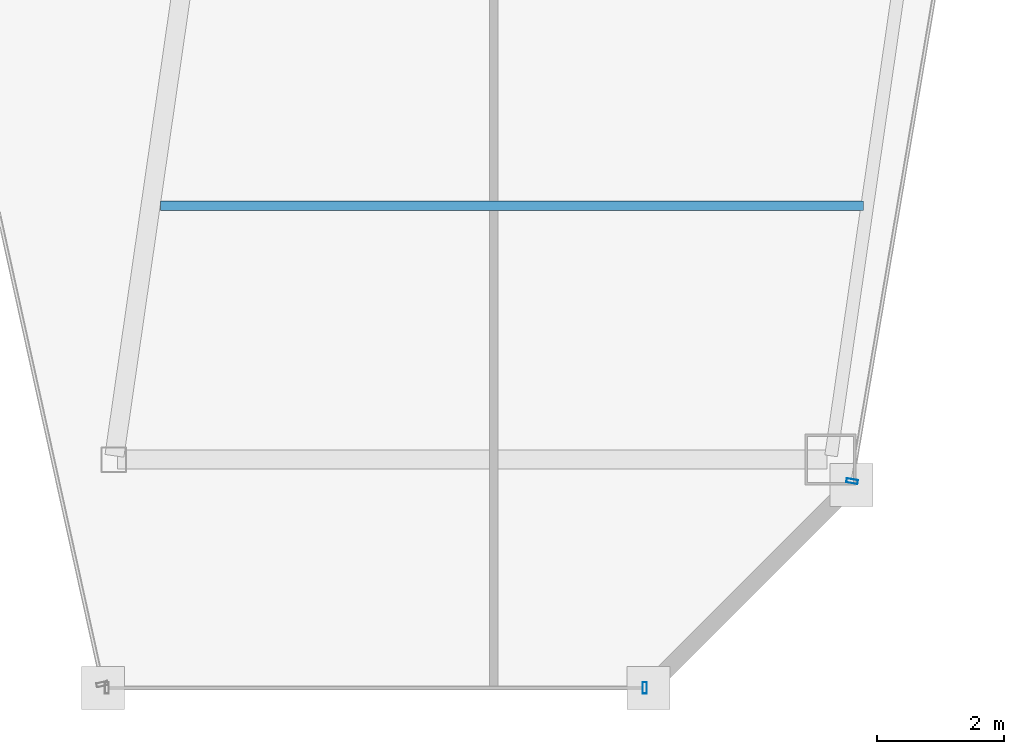
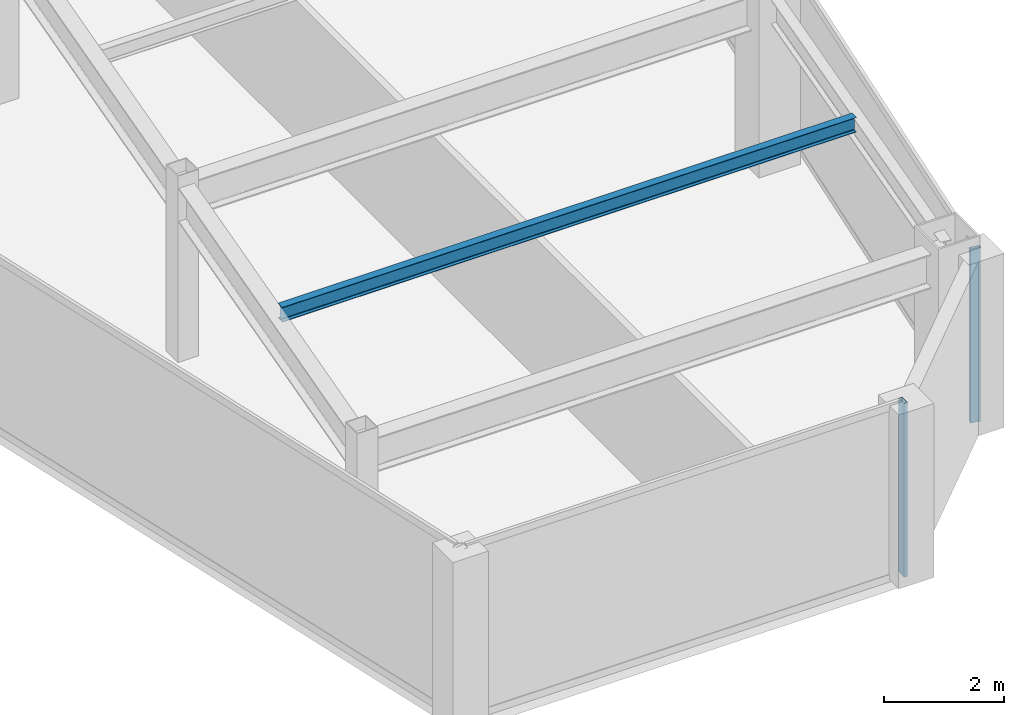
# One storey, part 18 of 35: 2 members, 1 beam, 2 elements without a shape of their own.
"""IFC4 building model written with IfcOpenShell, lengths in metres."""

from ifc_helpers import new_model, si_unit, direction, frame, origin, origin_2d, place, context, subcontext, project, spatial, hollow_rectangle, i_section, extrude, material, material_profile, profile_set, type_object, element, aggregate, save


model = new_model("IFC4")

# Units and contexts
model_context = context("Model", 3, precision=1e-05, world=origin(), true_north=direction((0.0, 1.0)))
body_context = subcontext(model_context, "Body", "Model", "MODEL_VIEW")
ifc_project = project(units=[si_unit("LENGTHUNIT", "METRE"), si_unit("AREAUNIT", "SQUARE_METRE"), si_unit("VOLUMEUNIT", "CUBIC_METRE"), si_unit("PLANEANGLEUNIT", "RADIAN"), si_unit("MASSUNIT", "GRAM", prefix="KILO")], contexts=[model_context])

# Site, building, storey
site_placement = place(None, origin())
site = spatial("IfcSite", under=ifc_project, at=site_placement, CompositionType="ELEMENT")
building_placement = place(site_placement, origin())
building = spatial("IfcBuilding", under=site, at=building_placement, Name="Saevonmaru Cultural Tower", CompositionType="ELEMENT")
storey_placement = place(building_placement, frame((0.0, 0.0, 213.199951171875)))
storey = spatial("IfcBuildingStorey", under=building, at=storey_placement, Name="L49", CompositionType="ELEMENT", Elevation=213.199951171875)

# Beam
ifc_material_1 = material(Name="Steel SM355", Category="steel")
ifc_material_profile_1 = material_profile(ifc_material_1, i_section(OverallWidth=0.14990234375, OverallDepth=0.300048828125, WebThickness=0.006591796875, FlangeThickness=0.009033203125, FilletRadius=0.012939453125, at=origin_2d()), Name="H-300x150x6.5x9")
ifc_profile_set_1 = profile_set([ifc_material_profile_1], Name="Steel SM355")
beam_type = type_object("IfcBeamType", Name="BM-J-H300", PredefinedType="JOIST", material=ifc_profile_set_1)
beam_placement = place(storey_placement, frame((38.80810546875, 20.0, 3.400146484375), z_axis=(1.0, 0.0, 0.0), x_axis=(0.0, 1.0, 0.0)))
element("IfcBeam", 1, at=beam_placement, inside=storey, type_object=beam_type, Name="L49 East Wing Floor Joist 1", PredefinedType="JOIST", context=body_context, shape_type="SweptSolid", body=[
    extrude(i_section(OverallWidth=0.14990234375, OverallDepth=0.300048828125, WebThickness=0.006591796875, FlangeThickness=0.009033203125, FilletRadius=0.012939453125, at=origin_2d()), origin(), (0.0, 0.0, 1.0), 11.081787109375),
])

# Curtain wall, member
ifc_material_2 = material(Name="Satin Bronze Anodised Aluminium", Category="aluminium")
curtain_wall_type = type_object("IfcCurtainWallType", Name="CW-TYP-B", PredefinedType="NOTDEFINED", material=ifc_material_2)
curtain_wall_1_placement = place(storey_placement, origin())
curtain_wall_1 = element("IfcCurtainWall", 2, at=curtain_wall_1_placement, inside=storey, type_object=curtain_wall_type, Name="L49 Unitised Curtain Wall E6", PredefinedType="NOTDEFINED")
ifc_material_profile_2 = material_profile(ifc_material_2, hollow_rectangle(XDim=0.06494140625, YDim=0.179931640625, WallThickness=0.00390625, at=origin_2d()), Name="ALU-MULL-180x65x4")
ifc_profile_set_2 = profile_set([ifc_material_profile_2], Name="Satin Bronze Anodised Aluminium")
member_type = type_object("IfcMemberType", Name="ML-CW-180x65", PredefinedType="MULLION", material=ifc_profile_set_2)
member_1_placement = place(storey_placement, frame((46.442138671875, 12.39990234375, 0.0), z_axis=(0.0, 0.0, 1.0), x_axis=(1.0, 0.0, 0.0)))
member_1 = element("IfcMember", 3, at=member_1_placement, type_object=member_type, Name="CW-TW-L49-E6 mullion 2", PredefinedType="MULLION", context=body_context, shape_type="SweptSolid", body=[
    extrude(hollow_rectangle(XDim=0.06494140625, YDim=0.179931640625, WallThickness=0.00390625, at=origin_2d()), origin(), (0.0, 0.0, 1.0), 3.550048828125),
])
aggregate(curtain_wall_1, [member_1])

curtain_wall_2_placement = place(storey_placement, origin())
curtain_wall_2 = element("IfcCurtainWall", 4, at=curtain_wall_2_placement, inside=storey, type_object=curtain_wall_type, Name="L49 Unitised Curtain Wall E8", PredefinedType="NOTDEFINED")
member_2_placement = place(storey_placement, frame((49.712158203125, 15.6591796875, 0.0), z_axis=(0.0, 0.0, 1.0), x_axis=(0.16692169721, 0.985970155228, 0.0)))
member_2 = element("IfcMember", 5, at=member_2_placement, type_object=member_type, Name="CW-TW-L49-E8 mullion 1", PredefinedType="MULLION", context=body_context, shape_type="SweptSolid", body=[
    extrude(hollow_rectangle(XDim=0.06494140625, YDim=0.179931640625, WallThickness=0.00390625, at=origin_2d()), origin(), (0.0, 0.0, 1.0), 3.550048828125),
])
aggregate(curtain_wall_2, [member_2])

save(model, "model.ifc")
